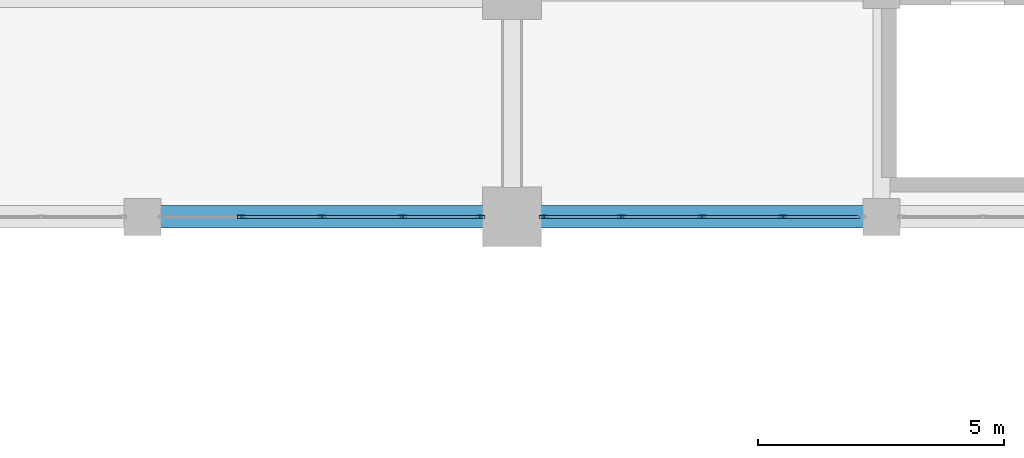
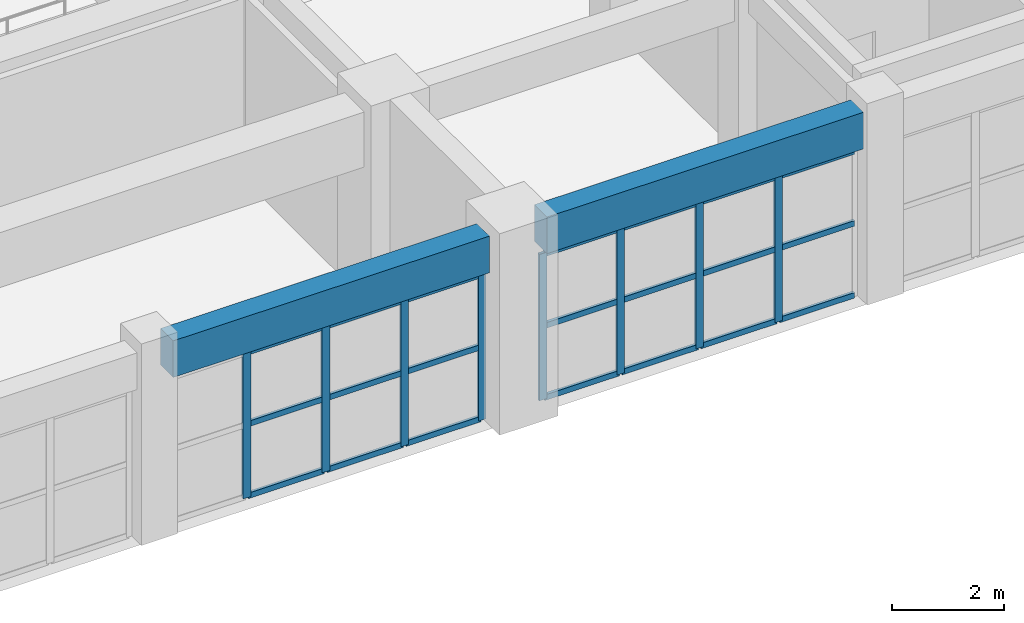
# One storey, part 40 of 116: 29 members, 2 beams, 2 elements without a shape of their own.
"""IFC4 building model written with IfcOpenShell, lengths in metres."""

from ifc_helpers import new_model, si_unit, direction, frame, origin, origin_2d, place, context, subcontext, project, spatial, rectangle, hollow_rectangle, extrude, material, layer, layer_set, material_profile, profile_set, type_object, element, aggregate, save


model = new_model("IFC4")

# Units and contexts
model_context = context("Model", 3, precision=1e-05, world=origin(), true_north=direction((0.0, 1.0)))
body_context = subcontext(model_context, "Body", "Model", "MODEL_VIEW")
ifc_project = project(units=[si_unit("LENGTHUNIT", "METRE"), si_unit("AREAUNIT", "SQUARE_METRE"), si_unit("VOLUMEUNIT", "CUBIC_METRE"), si_unit("PLANEANGLEUNIT", "RADIAN"), si_unit("MASSUNIT", "GRAM", prefix="KILO")], contexts=[model_context])

# Site, building, storey
site_placement = place(None, origin())
site = spatial("IfcSite", under=ifc_project, at=site_placement, CompositionType="ELEMENT")
building_placement = place(site_placement, origin())
building = spatial("IfcBuilding", under=site, at=building_placement, Name="Muzn Square Opera House", CompositionType="ELEMENT")
storey_placement = place(building_placement, frame((0.0, 0.0, 5.39990234375)))
storey = spatial("IfcBuildingStorey", under=building, at=storey_placement, Name="L01", CompositionType="ELEMENT", Elevation=5.39990234375)

# Curtain wall, members
ifc_material_1 = material(Name="Low-E laminated acoustic double glazing", Category="glass")
ifc_layer = layer(ifc_material_1, 0.159912109375, Name="Low-E laminated acoustic double glazing", Category="glass")
ifc_layer_set = layer_set([ifc_layer], Name="Low-E laminated acoustic double glazing")
curtain_wall_type = type_object("IfcCurtainWallType", Name="Glazed Curtain Wall Forecourt 6525x3200", PredefinedType="USERDEFINED", material=ifc_layer_set)
curtain_wall_1_placement = place(storey_placement, origin())
curtain_wall_1 = element("IfcCurtainWall", 1, at=curtain_wall_1_placement, inside=storey, type_object=curtain_wall_type, Name="Glazed Curtain Wall CW-L01-008", ObjectType="GLAZED CURTAIN WALL", PredefinedType="USERDEFINED")
ifc_material_2 = material(Name="Anodised bronze aluminium 6063-T6", Category="metal")
ifc_material_profile_1 = material_profile(ifc_material_2, hollow_rectangle(XDim=0.06005859375, YDim=0.159912109375, WallThickness=0.00390625, at=origin_2d()), Name="ALU 160x60x4", Category="metal")
ifc_profile_set_1 = profile_set([ifc_material_profile_1], Name="Anodised bronze aluminium 6063-T6")
member_type_1 = type_object("IfcMemberType", Name="Curtain Wall Mullion 160x60", PredefinedType="MULLION", material=ifc_profile_set_1)
member_1_placement = place(storey_placement, frame((97.50634765625, 22.0, 0.0), z_axis=(0.0, 0.0, 1.0), x_axis=(0.0, 1.0, 0.0)))
member_1 = element("IfcMember", 2, at=member_1_placement, type_object=member_type_1, Name="CW-FC-65x32 mullion 2", PredefinedType="MULLION", context=body_context, shape_type="SweptSolid", body=[
    extrude(hollow_rectangle(XDim=0.06005859375, YDim=0.159912109375, WallThickness=0.00390625, at=origin_2d()), origin(), (0.0, 0.0, 1.0), 3.2001953125),
])
member_2_placement = place(storey_placement, frame((99.137451171875, 22.0, 0.0), z_axis=(0.0, 0.0, 1.0), x_axis=(0.0, 1.0, 0.0)))
member_2 = element("IfcMember", 3, at=member_2_placement, type_object=member_type_1, Name="CW-FC-65x32 mullion 3", PredefinedType="MULLION", context=body_context, shape_type="SweptSolid", body=[
    extrude(hollow_rectangle(XDim=0.06005859375, YDim=0.159912109375, WallThickness=0.00390625, at=origin_2d()), origin(), (0.0, 0.0, 1.0), 3.2001953125),
])
member_3_placement = place(storey_placement, frame((100.768798828125, 22.0, 0.0), z_axis=(0.0, 0.0, 1.0), x_axis=(0.0, 1.0, 0.0)))
member_3 = element("IfcMember", 4, at=member_3_placement, type_object=member_type_1, Name="CW-FC-65x32 mullion 4", PredefinedType="MULLION", context=body_context, shape_type="SweptSolid", body=[
    extrude(hollow_rectangle(XDim=0.06005859375, YDim=0.159912109375, WallThickness=0.00390625, at=origin_2d()), origin(), (0.0, 0.0, 1.0), 3.2001953125),
])
member_4_placement = place(storey_placement, frame((102.3701171875, 22.0, 0.0), z_axis=(0.0, 0.0, 1.0), x_axis=(0.0, 1.0, 0.0)))
member_4 = element("IfcMember", 5, at=member_4_placement, type_object=member_type_1, Name="CW-FC-65x32 mullion 5", PredefinedType="MULLION", context=body_context, shape_type="SweptSolid", body=[
    extrude(hollow_rectangle(XDim=0.06005859375, YDim=0.159912109375, WallThickness=0.00390625, at=origin_2d()), origin(), (0.0, 0.0, 1.0), 3.2001953125),
])

curtain_wall_2_placement = place(storey_placement, origin())
curtain_wall_2 = element("IfcCurtainWall", 6, at=curtain_wall_2_placement, inside=storey, type_object=curtain_wall_type, Name="Glazed Curtain Wall CW-L01-009", ObjectType="GLAZED CURTAIN WALL", PredefinedType="USERDEFINED")
member_5_placement = place(storey_placement, frame((103.6298828125, 22.0, 0.0), z_axis=(0.0, 0.0, 1.0), x_axis=(0.0, 1.0, 0.0)))
member_5 = element("IfcMember", 7, at=member_5_placement, type_object=member_type_1, Name="CW-FC-65x32 mullion 1", PredefinedType="MULLION", context=body_context, shape_type="SweptSolid", body=[
    extrude(hollow_rectangle(XDim=0.06005859375, YDim=0.159912109375, WallThickness=0.00390625, at=origin_2d()), origin(), (0.0, 0.0, 1.0), 3.2001953125),
])
member_6_placement = place(storey_placement, frame((105.231201171875, 22.0, 0.0), z_axis=(0.0, 0.0, 1.0), x_axis=(0.0, 1.0, 0.0)))
member_6 = element("IfcMember", 8, at=member_6_placement, type_object=member_type_1, Name="CW-FC-65x32 mullion 2", PredefinedType="MULLION", context=body_context, shape_type="SweptSolid", body=[
    extrude(hollow_rectangle(XDim=0.06005859375, YDim=0.159912109375, WallThickness=0.00390625, at=origin_2d()), origin(), (0.0, 0.0, 1.0), 3.2001953125),
])
member_7_placement = place(storey_placement, frame((106.862548828125, 22.0, 0.0), z_axis=(0.0, 0.0, 1.0), x_axis=(0.0, 1.0, 0.0)))
member_7 = element("IfcMember", 9, at=member_7_placement, type_object=member_type_1, Name="CW-FC-65x32 mullion 3", PredefinedType="MULLION", context=body_context, shape_type="SweptSolid", body=[
    extrude(hollow_rectangle(XDim=0.06005859375, YDim=0.159912109375, WallThickness=0.00390625, at=origin_2d()), origin(), (0.0, 0.0, 1.0), 3.2001953125),
])
member_8_placement = place(storey_placement, frame((108.49365234375, 22.0, 0.0), z_axis=(0.0, 0.0, 1.0), x_axis=(0.0, 1.0, 0.0)))
member_8 = element("IfcMember", 10, at=member_8_placement, type_object=member_type_1, Name="CW-FC-65x32 mullion 4", PredefinedType="MULLION", context=body_context, shape_type="SweptSolid", body=[
    extrude(hollow_rectangle(XDim=0.06005859375, YDim=0.159912109375, WallThickness=0.00390625, at=origin_2d()), origin(), (0.0, 0.0, 1.0), 3.2001953125),
])

# Member
ifc_material_profile_2 = material_profile(ifc_material_2, hollow_rectangle(XDim=0.06005859375, YDim=0.1201171875, WallThickness=0.00390625, at=origin_2d()), Name="ALU 120x60x4", Category="metal")
ifc_profile_set_2 = profile_set([ifc_material_profile_2], Name="Anodised bronze aluminium 6063-T6")
member_type_2 = type_object("IfcMemberType", Name="Curtain Wall Transom 120x60", PredefinedType="USERDEFINED", material=ifc_profile_set_2)
member_9_placement = place(storey_placement, frame((97.5361328125, 22.0, 0.030029296875), z_axis=(1.0, 0.0, 0.0), x_axis=(0.0, 1.0, 0.0)))
member_9 = element("IfcMember", 11, at=member_9_placement, type_object=member_type_2, Name="CW-FC-65x32 transom 2.1", ObjectType="TRANSOM", PredefinedType="USERDEFINED", context=body_context, shape_type="SweptSolid", body=[
    extrude(hollow_rectangle(XDim=0.06005859375, YDim=0.1201171875, WallThickness=0.00390625, at=origin_2d()), origin(), (0.0, 0.0, 1.0), 1.5712890625),
])

member_10_placement = place(storey_placement, frame((97.5361328125, 22.0, 1.60009765625), z_axis=(1.0, 0.0, 0.0), x_axis=(0.0, 1.0, 0.0)))
member_10 = element("IfcMember", 12, at=member_10_placement, type_object=member_type_2, Name="CW-FC-65x32 transom 2.2", ObjectType="TRANSOM", PredefinedType="USERDEFINED", context=body_context, shape_type="SweptSolid", body=[
    extrude(hollow_rectangle(XDim=0.06005859375, YDim=0.1201171875, WallThickness=0.00390625, at=origin_2d()), origin(), (0.0, 0.0, 1.0), 1.5712890625),
])

member_11_placement = place(storey_placement, frame((97.5361328125, 22.0, 3.170166015625), z_axis=(1.0, 0.0, 0.0), x_axis=(0.0, 1.0, 0.0)))
member_11 = element("IfcMember", 13, at=member_11_placement, type_object=member_type_2, Name="CW-FC-65x32 transom 2.3", ObjectType="TRANSOM", PredefinedType="USERDEFINED", context=body_context, shape_type="SweptSolid", body=[
    extrude(hollow_rectangle(XDim=0.06005859375, YDim=0.1201171875, WallThickness=0.00390625, at=origin_2d()), origin(), (0.0, 0.0, 1.0), 1.5712890625),
])

member_12_placement = place(storey_placement, frame((99.16748046875, 22.0, 0.030029296875), z_axis=(1.0, 0.0, 0.0), x_axis=(0.0, 1.0, 0.0)))
member_12 = element("IfcMember", 14, at=member_12_placement, type_object=member_type_2, Name="CW-FC-65x32 transom 3.1", ObjectType="TRANSOM", PredefinedType="USERDEFINED", context=body_context, shape_type="SweptSolid", body=[
    extrude(hollow_rectangle(XDim=0.06005859375, YDim=0.1201171875, WallThickness=0.00390625, at=origin_2d()), origin(), (0.0, 0.0, 1.0), 1.5712890625),
])

member_13_placement = place(storey_placement, frame((99.16748046875, 22.0, 1.60009765625), z_axis=(1.0, 0.0, 0.0), x_axis=(0.0, 1.0, 0.0)))
member_13 = element("IfcMember", 15, at=member_13_placement, type_object=member_type_2, Name="CW-FC-65x32 transom 3.2", ObjectType="TRANSOM", PredefinedType="USERDEFINED", context=body_context, shape_type="SweptSolid", body=[
    extrude(hollow_rectangle(XDim=0.06005859375, YDim=0.1201171875, WallThickness=0.00390625, at=origin_2d()), origin(), (0.0, 0.0, 1.0), 1.5712890625),
])

member_14_placement = place(storey_placement, frame((99.16748046875, 22.0, 3.170166015625), z_axis=(1.0, 0.0, 0.0), x_axis=(0.0, 1.0, 0.0)))
member_14 = element("IfcMember", 16, at=member_14_placement, type_object=member_type_2, Name="CW-FC-65x32 transom 3.3", ObjectType="TRANSOM", PredefinedType="USERDEFINED", context=body_context, shape_type="SweptSolid", body=[
    extrude(hollow_rectangle(XDim=0.06005859375, YDim=0.1201171875, WallThickness=0.00390625, at=origin_2d()), origin(), (0.0, 0.0, 1.0), 1.5712890625),
])

member_15_placement = place(storey_placement, frame((100.798828125, 22.0, 0.030029296875), z_axis=(1.0, 0.0, 0.0), x_axis=(0.0, 1.0, 0.0)))
member_15 = element("IfcMember", 17, at=member_15_placement, type_object=member_type_2, Name="CW-FC-65x32 transom 4.1", ObjectType="TRANSOM", PredefinedType="USERDEFINED", context=body_context, shape_type="SweptSolid", body=[
    extrude(hollow_rectangle(XDim=0.06005859375, YDim=0.1201171875, WallThickness=0.00390625, at=origin_2d()), origin(), (0.0, 0.0, 1.0), 1.541259765625),
])

member_16_placement = place(storey_placement, frame((100.798828125, 22.0, 1.60009765625), z_axis=(1.0, 0.0, 0.0), x_axis=(0.0, 1.0, 0.0)))
member_16 = element("IfcMember", 18, at=member_16_placement, type_object=member_type_2, Name="CW-FC-65x32 transom 4.2", ObjectType="TRANSOM", PredefinedType="USERDEFINED", context=body_context, shape_type="SweptSolid", body=[
    extrude(hollow_rectangle(XDim=0.06005859375, YDim=0.1201171875, WallThickness=0.00390625, at=origin_2d()), origin(), (0.0, 0.0, 1.0), 1.541259765625),
])

member_17_placement = place(storey_placement, frame((100.798828125, 22.0, 3.170166015625), z_axis=(1.0, 0.0, 0.0), x_axis=(0.0, 1.0, 0.0)))
member_17 = element("IfcMember", 19, at=member_17_placement, type_object=member_type_2, Name="CW-FC-65x32 transom 4.3", ObjectType="TRANSOM", PredefinedType="USERDEFINED", context=body_context, shape_type="SweptSolid", body=[
    extrude(hollow_rectangle(XDim=0.06005859375, YDim=0.1201171875, WallThickness=0.00390625, at=origin_2d()), origin(), (0.0, 0.0, 1.0), 1.541259765625),
])

aggregate(curtain_wall_1, [member_1, member_2, member_3, member_4, member_9, member_10, member_11, member_12, member_13, member_14, member_15, member_16, member_17])

member_18_placement = place(storey_placement, frame((103.659912109375, 22.0, 0.030029296875), z_axis=(1.0, 0.0, 0.0), x_axis=(0.0, 1.0, 0.0)))
member_18 = element("IfcMember", 20, at=member_18_placement, type_object=member_type_2, Name="CW-FC-65x32 transom 1.1", ObjectType="TRANSOM", PredefinedType="USERDEFINED", context=body_context, shape_type="SweptSolid", body=[
    extrude(hollow_rectangle(XDim=0.06005859375, YDim=0.1201171875, WallThickness=0.00390625, at=origin_2d()), origin(), (0.0, 0.0, 1.0), 1.541259765625),
])

member_19_placement = place(storey_placement, frame((103.659912109375, 22.0, 1.60009765625), z_axis=(1.0, 0.0, 0.0), x_axis=(0.0, 1.0, 0.0)))
member_19 = element("IfcMember", 21, at=member_19_placement, type_object=member_type_2, Name="CW-FC-65x32 transom 1.2", ObjectType="TRANSOM", PredefinedType="USERDEFINED", context=body_context, shape_type="SweptSolid", body=[
    extrude(hollow_rectangle(XDim=0.06005859375, YDim=0.1201171875, WallThickness=0.00390625, at=origin_2d()), origin(), (0.0, 0.0, 1.0), 1.541259765625),
])

member_20_placement = place(storey_placement, frame((103.659912109375, 22.0, 3.170166015625), z_axis=(1.0, 0.0, 0.0), x_axis=(0.0, 1.0, 0.0)))
member_20 = element("IfcMember", 22, at=member_20_placement, type_object=member_type_2, Name="CW-FC-65x32 transom 1.3", ObjectType="TRANSOM", PredefinedType="USERDEFINED", context=body_context, shape_type="SweptSolid", body=[
    extrude(hollow_rectangle(XDim=0.06005859375, YDim=0.1201171875, WallThickness=0.00390625, at=origin_2d()), origin(), (0.0, 0.0, 1.0), 1.541259765625),
])

member_21_placement = place(storey_placement, frame((105.26123046875, 22.0, 0.030029296875), z_axis=(1.0, 0.0, 0.0), x_axis=(0.0, 1.0, 0.0)))
member_21 = element("IfcMember", 23, at=member_21_placement, type_object=member_type_2, Name="CW-FC-65x32 transom 2.1", ObjectType="TRANSOM", PredefinedType="USERDEFINED", context=body_context, shape_type="SweptSolid", body=[
    extrude(hollow_rectangle(XDim=0.06005859375, YDim=0.1201171875, WallThickness=0.00390625, at=origin_2d()), origin(), (0.0, 0.0, 1.0), 1.5712890625),
])

member_22_placement = place(storey_placement, frame((105.26123046875, 22.0, 1.60009765625), z_axis=(1.0, 0.0, 0.0), x_axis=(0.0, 1.0, 0.0)))
member_22 = element("IfcMember", 24, at=member_22_placement, type_object=member_type_2, Name="CW-FC-65x32 transom 2.2", ObjectType="TRANSOM", PredefinedType="USERDEFINED", context=body_context, shape_type="SweptSolid", body=[
    extrude(hollow_rectangle(XDim=0.06005859375, YDim=0.1201171875, WallThickness=0.00390625, at=origin_2d()), origin(), (0.0, 0.0, 1.0), 1.5712890625),
])

member_23_placement = place(storey_placement, frame((105.26123046875, 22.0, 3.170166015625), z_axis=(1.0, 0.0, 0.0), x_axis=(0.0, 1.0, 0.0)))
member_23 = element("IfcMember", 25, at=member_23_placement, type_object=member_type_2, Name="CW-FC-65x32 transom 2.3", ObjectType="TRANSOM", PredefinedType="USERDEFINED", context=body_context, shape_type="SweptSolid", body=[
    extrude(hollow_rectangle(XDim=0.06005859375, YDim=0.1201171875, WallThickness=0.00390625, at=origin_2d()), origin(), (0.0, 0.0, 1.0), 1.5712890625),
])

member_24_placement = place(storey_placement, frame((106.892578125, 22.0, 0.030029296875), z_axis=(1.0, 0.0, 0.0), x_axis=(0.0, 1.0, 0.0)))
member_24 = element("IfcMember", 26, at=member_24_placement, type_object=member_type_2, Name="CW-FC-65x32 transom 3.1", ObjectType="TRANSOM", PredefinedType="USERDEFINED", context=body_context, shape_type="SweptSolid", body=[
    extrude(hollow_rectangle(XDim=0.06005859375, YDim=0.1201171875, WallThickness=0.00390625, at=origin_2d()), origin(), (0.0, 0.0, 1.0), 1.5712890625),
])

member_25_placement = place(storey_placement, frame((106.892578125, 22.0, 1.60009765625), z_axis=(1.0, 0.0, 0.0), x_axis=(0.0, 1.0, 0.0)))
member_25 = element("IfcMember", 27, at=member_25_placement, type_object=member_type_2, Name="CW-FC-65x32 transom 3.2", ObjectType="TRANSOM", PredefinedType="USERDEFINED", context=body_context, shape_type="SweptSolid", body=[
    extrude(hollow_rectangle(XDim=0.06005859375, YDim=0.1201171875, WallThickness=0.00390625, at=origin_2d()), origin(), (0.0, 0.0, 1.0), 1.5712890625),
])

member_26_placement = place(storey_placement, frame((106.892578125, 22.0, 3.170166015625), z_axis=(1.0, 0.0, 0.0), x_axis=(0.0, 1.0, 0.0)))
member_26 = element("IfcMember", 28, at=member_26_placement, type_object=member_type_2, Name="CW-FC-65x32 transom 3.3", ObjectType="TRANSOM", PredefinedType="USERDEFINED", context=body_context, shape_type="SweptSolid", body=[
    extrude(hollow_rectangle(XDim=0.06005859375, YDim=0.1201171875, WallThickness=0.00390625, at=origin_2d()), origin(), (0.0, 0.0, 1.0), 1.5712890625),
])

member_27_placement = place(storey_placement, frame((108.523681640625, 22.0, 0.030029296875), z_axis=(1.0, 0.0, 0.0), x_axis=(0.0, 1.0, 0.0)))
member_27 = element("IfcMember", 29, at=member_27_placement, type_object=member_type_2, Name="CW-FC-65x32 transom 4.1", ObjectType="TRANSOM", PredefinedType="USERDEFINED", context=body_context, shape_type="SweptSolid", body=[
    extrude(hollow_rectangle(XDim=0.06005859375, YDim=0.1201171875, WallThickness=0.00390625, at=origin_2d()), origin(), (0.0, 0.0, 1.0), 1.541259765625),
])

member_28_placement = place(storey_placement, frame((108.523681640625, 22.0, 1.60009765625), z_axis=(1.0, 0.0, 0.0), x_axis=(0.0, 1.0, 0.0)))
member_28 = element("IfcMember", 30, at=member_28_placement, type_object=member_type_2, Name="CW-FC-65x32 transom 4.2", ObjectType="TRANSOM", PredefinedType="USERDEFINED", context=body_context, shape_type="SweptSolid", body=[
    extrude(hollow_rectangle(XDim=0.06005859375, YDim=0.1201171875, WallThickness=0.00390625, at=origin_2d()), origin(), (0.0, 0.0, 1.0), 1.541259765625),
])

member_29_placement = place(storey_placement, frame((108.523681640625, 22.0, 3.170166015625), z_axis=(1.0, 0.0, 0.0), x_axis=(0.0, 1.0, 0.0)))
member_29 = element("IfcMember", 31, at=member_29_placement, type_object=member_type_2, Name="CW-FC-65x32 transom 4.3", ObjectType="TRANSOM", PredefinedType="USERDEFINED", context=body_context, shape_type="SweptSolid", body=[
    extrude(hollow_rectangle(XDim=0.06005859375, YDim=0.1201171875, WallThickness=0.00390625, at=origin_2d()), origin(), (0.0, 0.0, 1.0), 1.541259765625),
])

aggregate(curtain_wall_2, [member_5, member_6, member_7, member_8, member_18, member_19, member_20, member_21, member_22, member_23, member_24, member_25, member_26, member_27, member_28, member_29])

# Beams
ifc_material_3 = material(Name="Concrete C40/50", Category="concrete")
ifc_material_profile_3 = material_profile(ifc_material_3, rectangle(XDim=0.449951171875, YDim=0.800048828125, at=origin_2d()), Name="RCB 450x800", Category="concrete")
ifc_profile_set_3 = profile_set([ifc_material_profile_3], Name="Concrete C40/50")
beam_type = type_object("IfcBeamType", Name="Primary Girder 450x800", PredefinedType="BEAM", material=ifc_profile_set_3)
for number, where, z_axis, x_axis, name in (
    (32, (95.866943359375, 22.0, 3.72021484375), (1.0, 0.0, 0.0), (0.0, 1.0, 0.0), "Primary Girder BM-L01-BM-PG800-959_220_1024_220-1286"),
    (33, (103.592041015625, 22.0, 3.72021484375), (1.0, 0.0, 0.0), (0.0, 1.0, 0.0), "Primary Girder BM-L01-BM-PG800-1036_220_1101_220-1287"),
):
    element("IfcBeam", number, at=place(storey_placement, frame(where, z_axis=z_axis, x_axis=x_axis)), inside=storey, type_object=beam_type, Name=name, PredefinedType="BEAM", context=body_context, shape_type="SweptSolid", body=[
        extrude(rectangle(XDim=0.449951171875, YDim=0.800048828125, at=origin_2d()), origin(), (0.0, 0.0, 1.0), 6.541015625),
    ])

save(model, "model.ifc")
